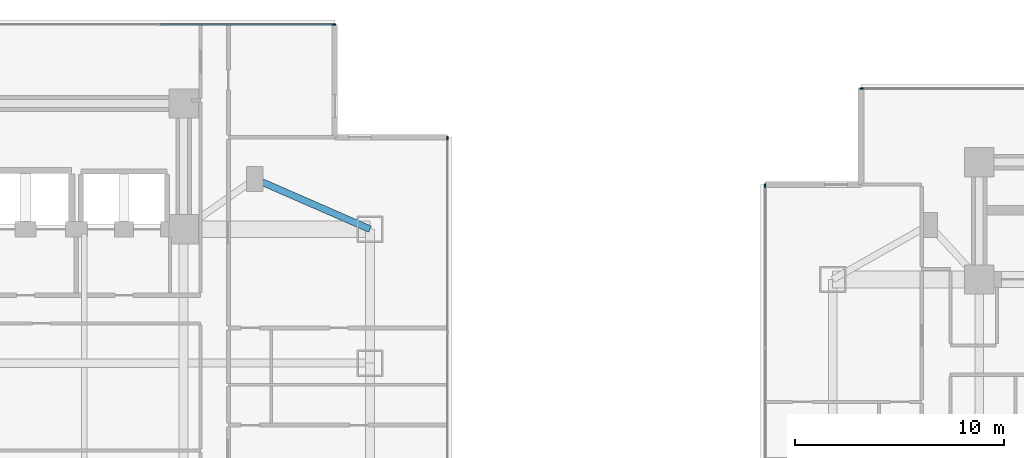
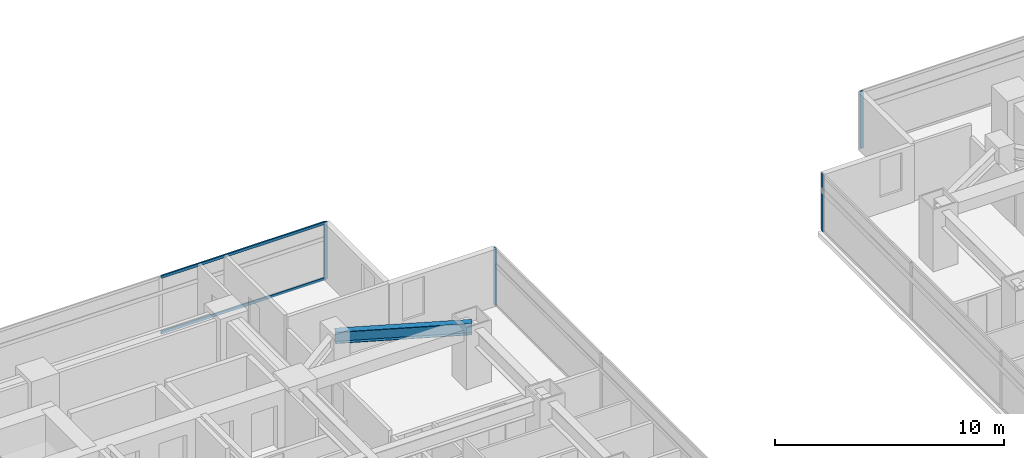
# One storey, part 8 of 25: 6 members, 1 beam, 4 elements without a shape of their own.
"""IFC4 building model written with IfcOpenShell, lengths in metres."""

import ifcopenshell
import ifcopenshell.guid

model = None  # the IFC model being written
_history = None  # IfcOwnerHistory: only IFC2X3 demands one
_inside = {}  # id of a spatial element -> (the spatial element, [elements in it])
_under = {}  # id of a project, library or spatial element -> (it, [spatial elements below it])
_declared = {}  # id of a project -> (the project, [libraries it declares])
_typed = {}  # id of a type object -> (the type object, [elements of that type])
_made_of = {}  # id of a material, layer set ... -> (it, [elements and type objects made of it])


def new_model(schema):
    """Start an empty IFC model of exactly this schema.

    Asked for "IFC4X3", IfcOpenShell would pick the latest addendum, in which some entities
    have other attributes; the version numbers below select the first issue.
    IFC2X3 requires an IfcOwnerHistory on every rooted entity: one is made here for all.
    """
    global model, _history
    if schema == "IFC4X3":
        model = ifcopenshell.file(schema_version=(4, 3, 0, 0))
    else:
        model = ifcopenshell.file(schema=schema)
    _inside.clear()
    _under.clear()
    _declared.clear()
    _typed.clear()
    _made_of.clear()
    _history = None
    if model.schema == "IFC2X3":
        org = make("IfcOrganization", Name="unknown")
        user = make(
            "IfcPersonAndOrganization",
            ThePerson=make("IfcPerson", FamilyName="unknown"),
            TheOrganization=org,
        )
        app = make(
            "IfcApplication",
            ApplicationDeveloper=org,
            Version="unknown",
            ApplicationFullName="unknown",
            ApplicationIdentifier="unknown",
        )
        _history = make(
            "IfcOwnerHistory",
            OwningUser=user,
            OwningApplication=app,
            ChangeAction="ADDED",
            CreationDate=0,
        )
    return model


def make(cls, **values):
    """One entity of the class cls with the attributes given. An attribute that is None is left unset."""
    return model.create_entity(
        cls, **{name: value for name, value in values.items() if value is not None}
    )


def rooted(cls, **values):
    """An entity with a GlobalId (a new one), such as an element, a storey or a relation."""
    return make(cls, GlobalId=ifcopenshell.guid.new(), OwnerHistory=_history, **values)


def si_unit(unit_type, name, prefix=None):
    """IfcSIUnit, for example si_unit("LENGTHUNIT", "METRE", prefix="MILLI")."""
    return make("IfcSIUnit", UnitType=unit_type, Prefix=prefix, Name=name)


def assignment(units):
    """IfcUnitAssignment: the units of a project."""
    return None if units is None else make("IfcUnitAssignment", Units=units)


def point(xyz):
    """IfcCartesianPoint."""
    return None if xyz is None else make("IfcCartesianPoint", Coordinates=xyz)


def direction(xyz):
    """IfcDirection."""
    return None if xyz is None else make("IfcDirection", DirectionRatios=xyz)


def frame(location, z_axis=None, x_axis=None):
    """IfcAxis2Placement3D, a coordinate frame: its origin and axes. An axis left out is left unset."""
    return make(
        "IfcAxis2Placement3D",
        Location=point(location),
        Axis=direction(z_axis),
        RefDirection=direction(x_axis),
    )


def frame_2d(location, x_axis=None):
    """IfcAxis2Placement2D, a coordinate frame in the plane: its origin and x axis."""
    return make(
        "IfcAxis2Placement2D", Location=point(location), RefDirection=direction(x_axis)
    )


def origin():
    """The frame at (0, 0, 0) with its axes left unset."""
    return frame((0.0, 0.0, 0.0))


def origin_2d():
    """The frame at (0, 0) in the plane with its x axis left unset."""
    return frame_2d((0.0, 0.0))


def place(relative_to, where):
    """IfcLocalPlacement: puts the frame where relative to a parent placement (None: the world)."""
    return make(
        "IfcLocalPlacement", PlacementRelTo=relative_to, RelativePlacement=where
    )


def context(
    kind, dimensions, precision=None, world=None, true_north=None, identifier=None
):
    """IfcGeometricRepresentationContext, for example the 3D "Model" context."""
    return make(
        "IfcGeometricRepresentationContext",
        ContextIdentifier=identifier,
        ContextType=kind,
        CoordinateSpaceDimension=dimensions,
        Precision=precision,
        WorldCoordinateSystem=world,
        TrueNorth=true_north,
    )


def subcontext(parent, identifier, kind, view, scale=None):
    """IfcGeometricRepresentationSubContext, for example "Body" below "Model"."""
    return make(
        "IfcGeometricRepresentationSubContext",
        ContextIdentifier=identifier,
        ContextType=kind,
        ParentContext=parent,
        TargetScale=scale,
        TargetView=view,
    )


def project(units=None, contexts=None):
    """IfcProject with its units and contexts."""
    return rooted(
        "IfcProject",
        Name="project",
        RepresentationContexts=contexts,
        UnitsInContext=assignment(units),
    )


def spatial(cls, under=None, at=None, **own):
    """A site, building, storey or space (cls), placed at a placement, below another one or the project."""
    s = rooted(cls, ObjectPlacement=at, **own)
    if under is not None:
        _under.setdefault(under.id(), (under, []))[1].append(s)
    return s


def profile(cls, at=None, kind="AREA", **sizes):
    """A parametric profile (cls). Its sizes go by their IFC names, for example OverallWidth=200.0."""
    return make(cls, ProfileType=kind, Position=at, **sizes)


def rectangle(**sizes):
    """IfcRectangleProfileDef."""
    return profile("IfcRectangleProfileDef", **sizes)


def i_section(**sizes):
    """IfcIShapeProfileDef."""
    return profile("IfcIShapeProfileDef", **sizes)


def extrude(swept, where, along, depth):
    """IfcExtrudedAreaSolid: the profile swept, set in the frame where, extruded along a direction by depth."""
    return make(
        "IfcExtrudedAreaSolid",
        SweptArea=swept,
        Position=where,
        ExtrudedDirection=direction(along),
        Depth=depth,
    )


def shape(context_of_items, identifier, shape_type, items):
    """IfcShapeRepresentation: the items that make up one representation, for example the "Body"."""
    return make(
        "IfcShapeRepresentation",
        ContextOfItems=context_of_items,
        RepresentationIdentifier=identifier,
        RepresentationType=shape_type,
        Items=items,
    )


def material(Name=None, Category=None):
    """IfcMaterial."""
    return make("IfcMaterial", Name=Name, Category=Category)


def material_profile(
    of_material, cross_section, Name=None, Category=None, Priority=None
):
    """IfcMaterialProfile: a cross section and its material."""
    return make(
        "IfcMaterialProfile",
        Name=Name,
        Material=of_material,
        Profile=cross_section,
        Priority=Priority,
        Category=Category,
    )


def profile_set(profiles, Name=None, composite=None):
    """IfcMaterialProfileSet."""
    return make(
        "IfcMaterialProfileSet",
        Name=Name,
        MaterialProfiles=profiles,
        CompositeProfile=composite,
    )


def made_of(thing, what):
    """Note that an element or type object is made of a material, layer set ...; save() writes the relation."""
    if what is not None:
        _made_of.setdefault(what.id(), (what, []))[1].append(thing)
    return thing


def type_object(cls, material=None, **own):
    """A type object (cls), such as IfcWallType, which elements share."""
    return made_of(rooted(cls, **own), material)


def element(
    cls,
    number,
    at=None,
    inside=None,
    cuts=None,
    type_object=None,
    material=None,
    context=None,
    identifier="Body",
    shape_type=None,
    held_by="IfcProductDefinitionShape",
    body=None,
    shapes=None,
    **own,
):
    """One element of the class cls, such as IfcWall. Its Tag is "e" and its number.

    at: its placement. inside: the storey or other place that contains it. cuts: it is an
    opening in that element (IfcRelVoidsElement). A single representation is given by context,
    identifier, shape_type and body (its items); several are given by shapes. held_by: the class
    of the entity that holds the representations. save() writes the other relations.
    """
    e = rooted(cls, Tag="e%d" % number, ObjectPlacement=at, **own)
    if body is not None:
        shapes = [shape(context, identifier, shape_type, body)]
    if shapes is not None:
        e.Representation = make(held_by, Representations=shapes)
    if inside is not None:
        _inside.setdefault(inside.id(), (inside, []))[1].append(e)
    if cuts is not None:
        rooted(
            "IfcRelVoidsElement", RelatingBuildingElement=cuts, RelatedOpeningElement=e
        )
    if type_object is not None:
        _typed.setdefault(type_object.id(), (type_object, []))[1].append(e)
    return made_of(e, material)


def aggregate(whole, parts):
    """IfcRelAggregates: a whole, such as a stair, and the parts it consists of."""
    return rooted("IfcRelAggregates", RelatingObject=whole, RelatedObjects=parts)


def save(model, path):
    """Write the relations noted so far, then the file.

    IfcRelAggregates (storeys below a building ...), IfcRelContainedInSpatialStructure (elements
    in a storey), IfcRelDefinesByType, IfcRelAssociatesMaterial and IfcRelDeclares: one each for
    every whole, place, type object, material and project.
    """
    for whole, parts in _under.values():
        aggregate(whole, parts)
    for where, things in _inside.values():
        rooted(
            "IfcRelContainedInSpatialStructure",
            RelatedElements=things,
            RelatingStructure=where,
        )
    for kind, things in _typed.values():
        rooted("IfcRelDefinesByType", RelatedObjects=things, RelatingType=kind)
    for what, things in _made_of.values():
        rooted("IfcRelAssociatesMaterial", RelatedObjects=things, RelatingMaterial=what)
    for by, libraries in _declared.values():
        rooted("IfcRelDeclares", RelatingContext=by, RelatedDefinitions=libraries)
    model.write(path)


model = new_model("IFC4")

# Units and contexts
model_context = context("Model", 3, precision=1e-05, world=origin(), true_north=direction((0.0, 1.0)))
body_context = subcontext(model_context, "Body", "Model", "MODEL_VIEW")
ifc_project = project(units=[si_unit("LENGTHUNIT", "METRE"), si_unit("AREAUNIT", "SQUARE_METRE"), si_unit("VOLUMEUNIT", "CUBIC_METRE"), si_unit("PLANEANGLEUNIT", "RADIAN"), si_unit("MASSUNIT", "GRAM", prefix="KILO")], contexts=[model_context])

# Site, building, storey
site_placement = place(None, origin())
site = spatial("IfcSite", under=ifc_project, at=site_placement, CompositionType="ELEMENT")
building_placement = place(site_placement, origin())
building = spatial("IfcBuilding", under=site, at=building_placement, Name="Mirazonda Arch Towers", CompositionType="ELEMENT")
storey_placement = place(building_placement, frame((0.0, 0.0, 35.60009765625)))
storey = spatial("IfcBuildingStorey", under=building, at=storey_placement, Name="L09", CompositionType="ELEMENT", Elevation=35.60009765625)

# Beam
ifc_material_1 = material(Name="Steel ASTM A992 Grade 50", Category="steel")
ifc_material_profile_1 = material_profile(ifc_material_1, i_section(OverallWidth=0.324951171875, OverallDepth=0.615966796875, WebThickness=0.013916015625, FlangeThickness=0.021484375, at=origin_2d()), Name="W24X117")
ifc_profile_set_1 = profile_set([ifc_material_profile_1], Name="Steel ASTM A992 Grade 50")
beam_type = type_object("IfcBeamType", Name="BM-INT-W24X117", PredefinedType="BEAM", material=ifc_profile_set_1)
beam_placement = place(storey_placement, frame((33.39990234375, 40.0, 2.751953125), z_axis=(0.916545343703, -0.399930785183, 0.0), x_axis=(0.399930785183, 0.916545343703, 0.0)))
element("IfcBeam", 1, at=beam_placement, inside=storey, type_object=beam_type, Name="L09 Floor Beam BM-T1-L09-PL-NE2", PredefinedType="BEAM", context=body_context, shape_type="SweptSolid", body=[
    extrude(i_section(OverallWidth=0.324951171875, OverallDepth=0.615966796875, WebThickness=0.013916015625, FlangeThickness=0.021484375, at=origin_2d()), origin(), (0.0, 0.0, 1.0), 6.000732421875),
])

# Curtain wall, member
ifc_material_2 = material(Name="Anodised Aluminium and Low-E Glass", Category="aluminium")
curtain_wall_type = type_object("IfcCurtainWallType", Name="CW-HTL-UNIT", PredefinedType="NOTDEFINED", material=ifc_material_2)
curtain_wall_1_placement = place(storey_placement, origin())
curtain_wall_1 = element("IfcCurtainWall", 2, at=curtain_wall_1_placement, inside=storey, type_object=curtain_wall_type, Name="L09 T1 E Facade CW-L09-T1-E", PredefinedType="NOTDEFINED")
ifc_material_3 = material(Name="Anodised Aluminium Alloy", Category="aluminium")
ifc_material_profile_2 = material_profile(ifc_material_3, rectangle(XDim=0.074951171875, YDim=0.1650390625, at=origin_2d()), Name="ALU-MULL-75x165")
ifc_profile_set_2 = profile_set([ifc_material_profile_2], Name="Anodised Aluminium Alloy")
member_type_1 = type_object("IfcMemberType", Name="MULL-CW-HTL-UNIT", PredefinedType="MULLION", material=ifc_profile_set_2)
member_1_placement = place(storey_placement, frame((42.60009765625, 41.95458984375, 0.0), z_axis=(0.0, 0.0, 1.0), x_axis=(-1.0, 0.0, 0.0)))
member_1 = element("IfcMember", 3, at=member_1_placement, type_object=member_type_1, Name="CW-112 mullion 4", PredefinedType="MULLION", context=body_context, shape_type="SweptSolid", body=[
    extrude(rectangle(XDim=0.074951171875, YDim=0.1650390625, at=origin_2d()), origin(), (0.0, 0.0, 1.0), 3.039794921875),
])
aggregate(curtain_wall_1, [member_1])

curtain_wall_2_placement = place(storey_placement, origin())
curtain_wall_2 = element("IfcCurtainWall", 4, at=curtain_wall_2_placement, inside=storey, type_object=curtain_wall_type, Name="L09 T1 N Facade CW-L09-T1-N", PredefinedType="NOTDEFINED")
member_2_placement = place(storey_placement, frame((37.1826171875, 47.3720703125, 0.0), z_axis=(0.0, 0.0, 1.0), x_axis=(0.0, 1.0, 0.0)))
member_2 = element("IfcMember", 5, at=member_2_placement, type_object=member_type_1, Name="CW-112 mullion 5", PredefinedType="MULLION", context=body_context, shape_type="SweptSolid", body=[
    extrude(rectangle(XDim=0.074951171875, YDim=0.1650390625, at=origin_2d()), origin(), (0.0, 0.0, 1.0), 3.039794921875),
])

curtain_wall_3_placement = place(storey_placement, origin())
curtain_wall_3 = element("IfcCurtainWall", 6, at=curtain_wall_3_placement, inside=storey, type_object=curtain_wall_type, Name="L09 T2 N Facade CW-L09-T2-N", PredefinedType="NOTDEFINED")
member_3_placement = place(storey_placement, frame((62.385498046875, 44.313232421875, 0.0), z_axis=(0.0, 0.0, 1.0), x_axis=(0.0, 1.0, 0.0)))
member_3 = element("IfcMember", 7, at=member_3_placement, type_object=member_type_1, Name="CW-112 mullion 1", PredefinedType="MULLION", context=body_context, shape_type="SweptSolid", body=[
    extrude(rectangle(XDim=0.074951171875, YDim=0.1650390625, at=origin_2d()), origin(), (0.0, 0.0, 1.0), 3.039794921875),
])
aggregate(curtain_wall_3, [member_3])

curtain_wall_4_placement = place(storey_placement, origin())
curtain_wall_4 = element("IfcCurtainWall", 8, at=curtain_wall_4_placement, inside=storey, type_object=curtain_wall_type, Name="L09 T2 W Facade CW-L09-T2-W", PredefinedType="NOTDEFINED")
member_4_placement = place(storey_placement, frame((57.76806640625, 39.69580078125, 0.0), z_axis=(0.0, 0.0, 1.0), x_axis=(1.0, 0.0, 0.0)))
member_4 = element("IfcMember", 9, at=member_4_placement, type_object=member_type_1, Name="CW-112 mullion 1", PredefinedType="MULLION", context=body_context, shape_type="SweptSolid", body=[
    extrude(rectangle(XDim=0.074951171875, YDim=0.1650390625, at=origin_2d()), origin(), (0.0, 0.0, 1.0), 3.039794921875),
])
aggregate(curtain_wall_4, [member_4])

# Member
ifc_material_profile_3 = material_profile(ifc_material_3, rectangle(XDim=0.074951171875, YDim=0.14501953125, at=origin_2d()), Name="ALU-TRAN-75x145")
ifc_profile_set_3 = profile_set([ifc_material_profile_3], Name="Anodised Aluminium Alloy")
member_type_2 = type_object("IfcMemberType", Name="TRAN-CW-HTL-UNIT", PredefinedType="USERDEFINED", material=ifc_profile_set_3)
member_5_placement = place(storey_placement, frame((28.8974609375, 47.3720703125, 0.037353515625), z_axis=(1.0, 0.0, 0.0), x_axis=(0.0, 1.0, 0.0)))
member_5 = element("IfcMember", 10, at=member_5_placement, type_object=member_type_2, Name="CW-112 transom 4.1", ObjectType="TRANSOM", PredefinedType="USERDEFINED", context=body_context, shape_type="SweptSolid", body=[
    extrude(rectangle(XDim=0.074951171875, YDim=0.14501953125, at=origin_2d()), origin(), (0.0, 0.0, 1.0), 8.24755859375),
])

member_6_placement = place(storey_placement, frame((28.8974609375, 47.3720703125, 3.00244140625), z_axis=(1.0, 0.0, 0.0), x_axis=(0.0, 1.0, 0.0)))
member_6 = element("IfcMember", 11, at=member_6_placement, type_object=member_type_2, Name="CW-112 transom 4.2", ObjectType="TRANSOM", PredefinedType="USERDEFINED", context=body_context, shape_type="SweptSolid", body=[
    extrude(rectangle(XDim=0.074951171875, YDim=0.14501953125, at=origin_2d()), origin(), (0.0, 0.0, 1.0), 8.24755859375),
])

aggregate(curtain_wall_2, [member_2, member_5, member_6])

save(model, "model.ifc")
